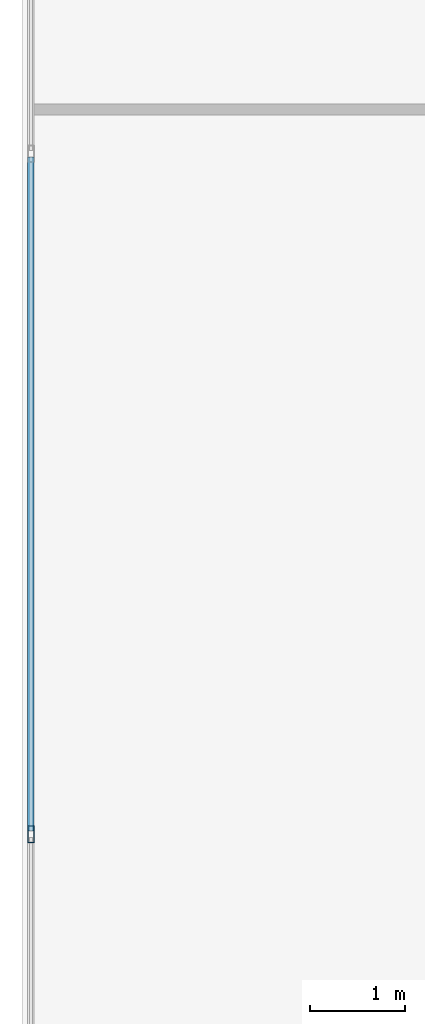
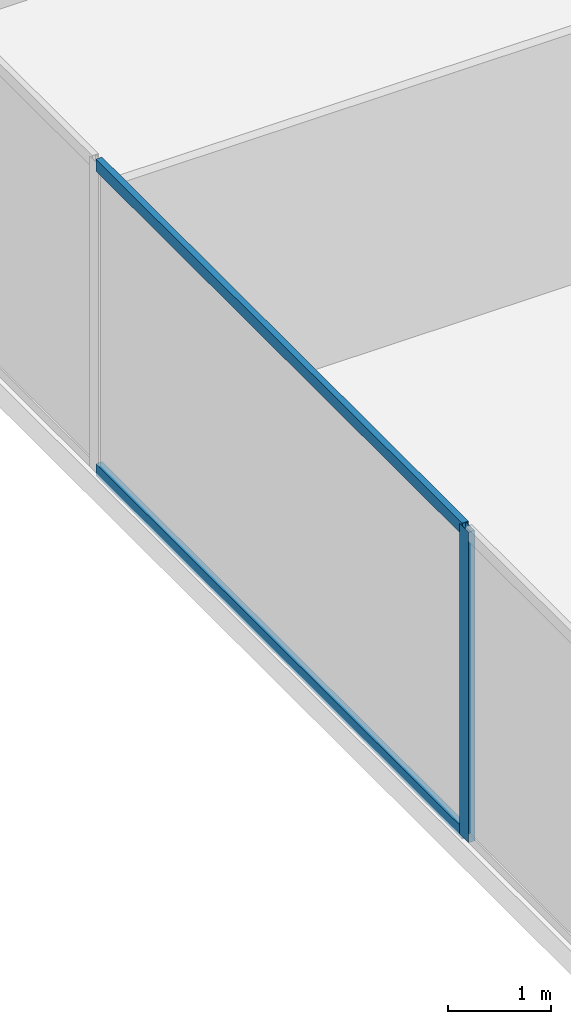
# One storey, part 4 of 28: 3 members, 1 element without a shape of its own.
"""IFC4 building model written with IfcOpenShell, lengths in metres."""

from ifc_helpers import new_model, si_unit, direction, frame, origin, origin_2d, place, context, subcontext, project, spatial, hollow_rectangle, extrude, source, transform, mapped, material, material_profile, profile_set, type_object, type_shapes, element, aggregate, save


model = new_model("IFC4")

# Units and contexts
model_context = context("Model", 3, precision=1e-05, world=origin(), true_north=direction((0.0, 1.0)))
body_context = subcontext(model_context, "Body", "Model", "MODEL_VIEW")
ifc_project = project(units=[si_unit("LENGTHUNIT", "METRE"), si_unit("AREAUNIT", "SQUARE_METRE"), si_unit("VOLUMEUNIT", "CUBIC_METRE"), si_unit("PLANEANGLEUNIT", "RADIAN"), si_unit("MASSUNIT", "GRAM", prefix="KILO")], contexts=[model_context])

# Site, building, storey
site_placement = place(None, origin())
site = spatial("IfcSite", under=ifc_project, at=site_placement, CompositionType="ELEMENT")
building_placement = place(site_placement, origin())
building = spatial("IfcBuilding", under=site, at=building_placement, Name="Krantzveldt Concourse Tower", CompositionType="ELEMENT")
storey_placement = place(building_placement, frame((0.0, 0.0, 28.949951171875)))
storey = spatial("IfcBuildingStorey", under=building, at=storey_placement, Name="L06", CompositionType="ELEMENT", Elevation=28.949951171875)

# Curtain wall, members
ifc_material = material(Name="Anodised aluminium 6063-T6", Category="aluminium")
curtain_wall_type = type_object("IfcCurtainWallType", Name="CW2", PredefinedType="USERDEFINED", material=ifc_material)
curtain_wall_placement = place(storey_placement, origin())
curtain_wall = element("IfcCurtainWall", 1, at=curtain_wall_placement, inside=storey, type_object=curtain_wall_type, Name="CW-L06-F01", ObjectType="UNITISED CURTAIN WALL", PredefinedType="USERDEFINED")
ifc_material_profile_1 = material_profile(ifc_material, hollow_rectangle(XDim=0.070068359375, YDim=0.139892578125, WallThickness=0.0048828125, at=origin_2d()), Name="Anodised aluminium 6063-T6", Category="aluminium")
ifc_profile_set_1 = profile_set([ifc_material_profile_1], Name="Anodised aluminium 6063-T6 - ALU-TRAN 140x70x5")
member_type_1 = type_object("IfcMemberType", Name="CW-TRN-150", PredefinedType="USERDEFINED", material=ifc_profile_set_1)
shared_shape_1 = source(origin(), body_context, "Body", "SweptSolid", [
    extrude(hollow_rectangle(XDim=0.070068359375, YDim=0.139892578125, WallThickness=0.0048828125, at=origin_2d()), origin(), (0.0, 0.0, 1.0), 7.0966796875),
])
type_shapes(member_type_1, [shared_shape_1])
member_1_placement = place(storey_placement, frame((11.090087890625, 19.498291015625, 0.03515625), z_axis=(0.0, -1.0, 0.0), x_axis=(1.0, 0.0, 0.0)))
member_1 = element("IfcMember", 2, at=member_1_placement, type_object=member_type_1, Name="CW-Z12 transom 5.1", ObjectType="TRANSOM", PredefinedType="USERDEFINED", context=body_context, shape_type="MappedRepresentation", body=[
    mapped(shared_shape_1, transform((0.0, 0.0, 0.0), x_axis=(1.0, 0.0, 0.0), y_axis=(0.0, 1.0, 0.0), z_axis=(0.0, 0.0, 1.0), scale=1.0)),
])
member_2_placement = place(storey_placement, frame((11.090087890625, 19.498291015625, 3.635009765625), z_axis=(0.0, -1.0, 0.0), x_axis=(1.0, 0.0, 0.0)))
member_2 = element("IfcMember", 3, at=member_2_placement, type_object=member_type_1, Name="CW-Z12 transom 5.2", ObjectType="TRANSOM", PredefinedType="USERDEFINED", context=body_context, shape_type="MappedRepresentation", body=[
    mapped(shared_shape_1, transform((0.0, 0.0, 0.0), x_axis=(1.0, 0.0, 0.0), y_axis=(0.0, 1.0, 0.0), z_axis=(0.0, 0.0, 1.0), scale=1.0)),
])
ifc_material_profile_2 = material_profile(ifc_material, hollow_rectangle(XDim=0.070068359375, YDim=0.179931640625, WallThickness=0.0048828125, at=origin_2d()), Name="Anodised aluminium 6063-T6", Category="aluminium")
ifc_profile_set_2 = profile_set([ifc_material_profile_2], Name="Anodised aluminium 6063-T6 - ALU-MULL 180x70x5")
member_type_2 = type_object("IfcMemberType", Name="CW-MUL-180", PredefinedType="MULLION", material=ifc_profile_set_2)
shared_shape_2 = source(origin(), body_context, "Body", "SweptSolid", [
    extrude(hollow_rectangle(XDim=0.070068359375, YDim=0.179931640625, WallThickness=0.0048828125, at=origin_2d()), origin(), (0.0, 0.0, 1.0), 3.670166015625),
])
type_shapes(member_type_2, [shared_shape_2])
member_3_placement = place(storey_placement, frame((11.090087890625, 12.36669921875, 0.0), z_axis=(0.0, 0.0, 1.0), x_axis=(1.0, 0.0, 0.0)))
member_3 = element("IfcMember", 4, at=member_3_placement, type_object=member_type_2, Name="CW-Z12 mullion 6", PredefinedType="MULLION", context=body_context, shape_type="MappedRepresentation", body=[
    mapped(shared_shape_2, transform((0.0, 0.0, 0.0), x_axis=(1.0, 0.0, 0.0), y_axis=(0.0, 1.0, 0.0), z_axis=(0.0, 0.0, 1.0), scale=1.0)),
])
aggregate(curtain_wall, [member_3, member_1, member_2])

save(model, "model.ifc")
